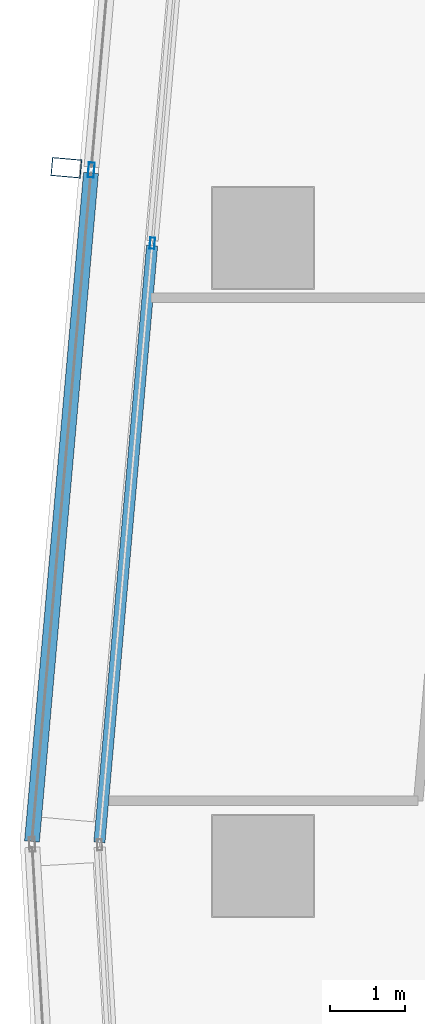
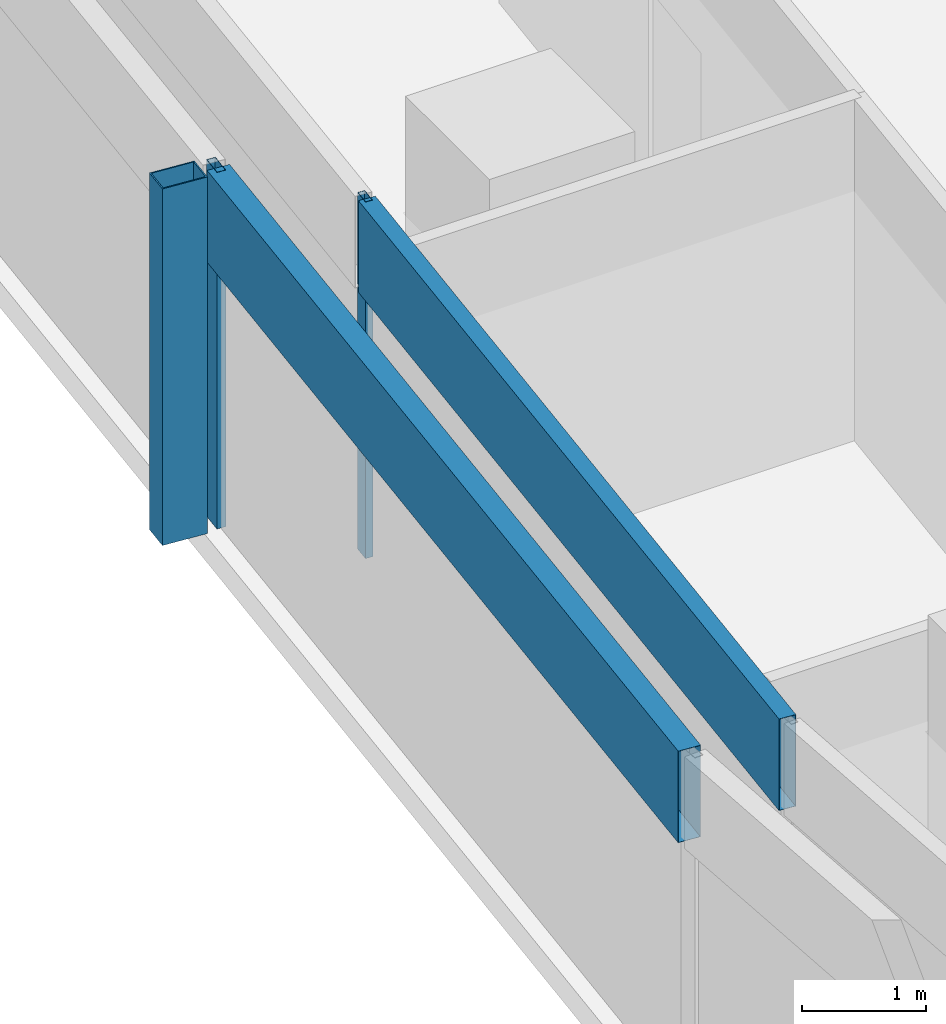
# One storey, part 16 of 38: 5 members, 2 elements without a shape of their own.
"""IFC4 building model written with IfcOpenShell, lengths in metres."""

from ifc_helpers import new_model, si_unit, direction, frame, origin, origin_2d, place, context, subcontext, project, spatial, hollow_rectangle, extrude, material, material_profile, profile_set, type_object, element, aggregate, save


model = new_model("IFC4")

# Units and contexts
model_context = context("Model", 3, precision=1e-05, world=origin(), true_north=direction((0.0, 1.0)))
body_context = subcontext(model_context, "Body", "Model", "MODEL_VIEW")
ifc_project = project(units=[si_unit("LENGTHUNIT", "METRE"), si_unit("AREAUNIT", "SQUARE_METRE"), si_unit("VOLUMEUNIT", "CUBIC_METRE"), si_unit("PLANEANGLEUNIT", "RADIAN"), si_unit("MASSUNIT", "GRAM", prefix="KILO")], contexts=[model_context])

# Site, building, storey
site_placement = place(None, origin())
site = spatial("IfcSite", under=ifc_project, at=site_placement, CompositionType="ELEMENT")
building_placement = place(site_placement, origin())
building = spatial("IfcBuilding", under=site, at=building_placement, Name="Rekha Terrace Tower", CompositionType="ELEMENT")
storey_placement = place(building_placement, frame((0.0, 0.0, 198.949951171875)))
storey = spatial("IfcBuildingStorey", under=building, at=storey_placement, Name="L50", CompositionType="ELEMENT", Elevation=198.949951171875)

# Curtain wall, member
ifc_material_1 = material(Name="Aluminium framing", Category="aluminium")
curtain_wall_type_1 = type_object("IfcCurtainWallType", Name="CW2 double skin outer glazing", PredefinedType="USERDEFINED", material=ifc_material_1)
curtain_wall_1_placement = place(storey_placement, origin())
curtain_wall_1 = element("IfcCurtainWall", 1, at=curtain_wall_1_placement, inside=storey, type_object=curtain_wall_type_1, Name="CW2 double skin outer glazing", ObjectType="DOUBLE SKIN OUTER GLAZING", PredefinedType="USERDEFINED")
ifc_material_2 = material(Name="Steel S355 with fluorocarbon finish", Category="steel")
ifc_material_profile_1 = material_profile(ifc_material_2, hollow_rectangle(XDim=0.25, YDim=0.39990234375, WallThickness=0.012451171875, at=origin_2d()), Name="RHS400x250x12.5")
ifc_profile_set_1 = profile_set([ifc_material_profile_1], Name="Steel S355 with fluorocarbon finish")
member_type_1 = type_object("IfcMemberType", Name="BL1 facade blade RHS 400 x 250", PredefinedType="USERDEFINED", material=ifc_profile_set_1)
member_1_placement = place(storey_placement, frame((5.77001953125, 51.341796875, 0.0), z_axis=(0.0, 0.0, 1.0), x_axis=(-0.087957249501, -0.996124250413, 0.0)))
member_1 = element("IfcMember", 2, at=member_1_placement, type_object=member_type_1, Name="Facade blade", ObjectType="FACADE BLADE", PredefinedType="USERDEFINED", context=body_context, shape_type="SweptSolid", body=[
    extrude(hollow_rectangle(XDim=0.25, YDim=0.39990234375, WallThickness=0.012451171875, at=origin_2d()), origin(), (0.0, 0.0, 1.0), 3.5),
])

# Curtain wall, members
curtain_wall_type_2 = type_object("IfcCurtainWallType", Name="CW1 double skin inner glazing", PredefinedType="USERDEFINED", material=ifc_material_1)
curtain_wall_2_placement = place(storey_placement, origin())
curtain_wall_2 = element("IfcCurtainWall", 3, at=curtain_wall_2_placement, inside=storey, type_object=curtain_wall_type_2, Name="CW1 double skin inner glazing", ObjectType="DOUBLE SKIN INNER GLAZING", PredefinedType="USERDEFINED")
ifc_material_3 = material(Name="Aluminium mullion section", Category="aluminium")
ifc_material_profile_2 = material_profile(ifc_material_3, hollow_rectangle(XDim=0.06494140625, YDim=0.14990234375, WallThickness=0.00390625, at=origin_2d()), Name="AL RHS 65x150")
ifc_profile_set_2 = profile_set([ifc_material_profile_2], Name="Aluminium mullion section")
member_type_2 = type_object("IfcMemberType", Name="CW1 mullion RHS 65 x 150", PredefinedType="MULLION", material=ifc_profile_set_2)
member_2_placement = place(storey_placement, frame((6.920654296875, 50.331787109375, 0.0), z_axis=(0.0, 0.0, 1.0), x_axis=(0.996124185422, -0.087957985523, 0.0)))
member_2 = element("IfcMember", 4, at=member_2_placement, type_object=member_type_2, Name="CW1 mullion 2", PredefinedType="MULLION", context=body_context, shape_type="SweptSolid", body=[
    extrude(hollow_rectangle(XDim=0.06494140625, YDim=0.14990234375, WallThickness=0.00390625, at=origin_2d()), origin(), (0.0, 0.0, 1.0), 3.5),
])
ifc_material_4 = material(Name="Insulated aluminium spandrel box", Category="aluminium")
ifc_material_profile_3 = material_profile(ifc_material_4, hollow_rectangle(XDim=0.14990234375, YDim=0.89990234375, WallThickness=0.0029296875, at=origin_2d()), Name="AL SPANDREL BOX 150x900")
ifc_profile_set_3 = profile_set([ifc_material_profile_3], Name="Insulated aluminium spandrel box")
member_type_3 = type_object("IfcMemberType", Name="CW1 spandrel transom 150 x 900", PredefinedType="USERDEFINED", material=ifc_profile_set_3)
member_3_placement = place(storey_placement, frame((6.917724609375, 50.29931640625, 3.050048828125), z_axis=(-0.087959586596, -0.996124044046, 0.0), x_axis=(0.996124044046, -0.087959586596, 0.0)))
member_3 = element("IfcMember", 5, at=member_3_placement, type_object=member_type_3, Name="CW1 spandrel transom 2", ObjectType="TRANSOM", PredefinedType="USERDEFINED", context=body_context, shape_type="SweptSolid", body=[
    extrude(hollow_rectangle(XDim=0.14990234375, YDim=0.89990234375, WallThickness=0.0029296875, at=origin_2d()), origin(), (0.0, 0.0, 1.0), 8.015869140625),
])
aggregate(curtain_wall_2, [member_2, member_3])

# Member
ifc_material_profile_4 = material_profile(ifc_material_3, hollow_rectangle(XDim=0.080078125, YDim=0.199951171875, WallThickness=0.00390625, at=origin_2d()), Name="AL RHS 80x200")
ifc_profile_set_4 = profile_set([ifc_material_profile_4], Name="Aluminium mullion section")
member_type_4 = type_object("IfcMemberType", Name="CW2 mullion RHS 80 x 200", PredefinedType="MULLION", material=ifc_profile_set_4)
member_4_placement = place(storey_placement, frame((6.103759765625, 51.312255859375, 0.0), z_axis=(0.0, 0.0, 1.0), x_axis=(0.996124185428, -0.087957985453, 0.0)))
member_4 = element("IfcMember", 6, at=member_4_placement, type_object=member_type_4, Name="CW2 mullion 2", PredefinedType="MULLION", context=body_context, shape_type="SweptSolid", body=[
    extrude(hollow_rectangle(XDim=0.080078125, YDim=0.199951171875, WallThickness=0.00390625, at=origin_2d()), origin(), (0.0, 0.0, 1.0), 3.5),
])

ifc_material_profile_5 = material_profile(ifc_material_4, hollow_rectangle(XDim=0.199951171875, YDim=0.89990234375, WallThickness=0.0029296875, at=origin_2d()), Name="AL SPANDREL BOX 200x900")
ifc_profile_set_5 = profile_set([ifc_material_profile_5], Name="Insulated aluminium spandrel box")
member_type_5 = type_object("IfcMemberType", Name="CW2 spandrel transom 200 x 900", PredefinedType="USERDEFINED", material=ifc_profile_set_5)
member_5_placement = place(storey_placement, frame((6.100341796875, 51.2724609375, 3.050048828125), z_axis=(-0.087981092326, -0.996122144816, 0.0), x_axis=(0.996122144816, -0.087981092326, 0.0)))
member_5 = element("IfcMember", 7, at=member_5_placement, type_object=member_type_5, Name="CW2 spandrel transom 2", ObjectType="TRANSOM", PredefinedType="USERDEFINED", context=body_context, shape_type="SweptSolid", body=[
    extrude(hollow_rectangle(XDim=0.199951171875, YDim=0.89990234375, WallThickness=0.0029296875, at=origin_2d()), origin(), (0.0, 0.0, 1.0), 8.979736328125),
])

aggregate(curtain_wall_1, [member_4, member_5, member_1])

save(model, "model.ifc")
